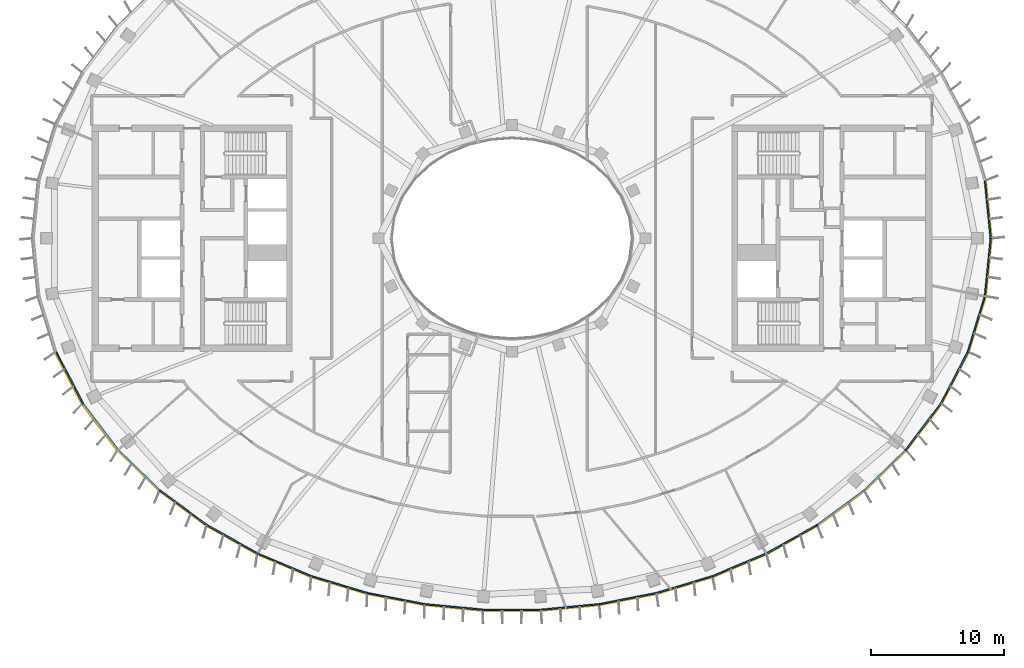
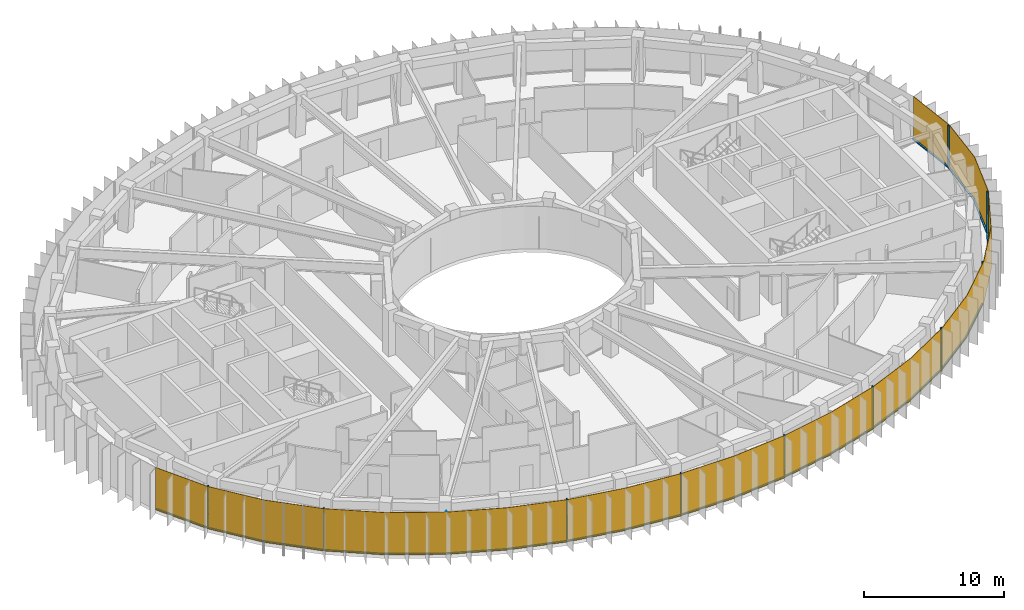
# One storey, part 8 of 13: 23 members, 1 curtain wall.
"""IFC4 building model written with IfcOpenShell, lengths in metres."""

import ifcopenshell
import ifcopenshell.guid

model = None  # the IFC model being written
_history = None  # IfcOwnerHistory: only IFC2X3 demands one
_inside = {}  # id of a spatial element -> (the spatial element, [elements in it])
_under = {}  # id of a project, library or spatial element -> (it, [spatial elements below it])
_declared = {}  # id of a project -> (the project, [libraries it declares])
_typed = {}  # id of a type object -> (the type object, [elements of that type])
_made_of = {}  # id of a material, layer set ... -> (it, [elements and type objects made of it])


def new_model(schema):
    """Start an empty IFC model of exactly this schema.

    Asked for "IFC4X3", IfcOpenShell would pick the latest addendum, in which some entities
    have other attributes; the version numbers below select the first issue.
    IFC2X3 requires an IfcOwnerHistory on every rooted entity: one is made here for all.
    """
    global model, _history
    if schema == "IFC4X3":
        model = ifcopenshell.file(schema_version=(4, 3, 0, 0))
    else:
        model = ifcopenshell.file(schema=schema)
    _inside.clear()
    _under.clear()
    _declared.clear()
    _typed.clear()
    _made_of.clear()
    _history = None
    if model.schema == "IFC2X3":
        org = make("IfcOrganization", Name="unknown")
        user = make(
            "IfcPersonAndOrganization",
            ThePerson=make("IfcPerson", FamilyName="unknown"),
            TheOrganization=org,
        )
        app = make(
            "IfcApplication",
            ApplicationDeveloper=org,
            Version="unknown",
            ApplicationFullName="unknown",
            ApplicationIdentifier="unknown",
        )
        _history = make(
            "IfcOwnerHistory",
            OwningUser=user,
            OwningApplication=app,
            ChangeAction="ADDED",
            CreationDate=0,
        )
    return model


def make(cls, **values):
    """One entity of the class cls with the attributes given. An attribute that is None is left unset."""
    return model.create_entity(
        cls, **{name: value for name, value in values.items() if value is not None}
    )


def rooted(cls, **values):
    """An entity with a GlobalId (a new one), such as an element, a storey or a relation."""
    return make(cls, GlobalId=ifcopenshell.guid.new(), OwnerHistory=_history, **values)


def si_unit(unit_type, name, prefix=None):
    """IfcSIUnit, for example si_unit("LENGTHUNIT", "METRE", prefix="MILLI")."""
    return make("IfcSIUnit", UnitType=unit_type, Prefix=prefix, Name=name)


def assignment(units):
    """IfcUnitAssignment: the units of a project."""
    return None if units is None else make("IfcUnitAssignment", Units=units)


def point(xyz):
    """IfcCartesianPoint."""
    return None if xyz is None else make("IfcCartesianPoint", Coordinates=xyz)


def direction(xyz):
    """IfcDirection."""
    return None if xyz is None else make("IfcDirection", DirectionRatios=xyz)


def frame(location, z_axis=None, x_axis=None):
    """IfcAxis2Placement3D, a coordinate frame: its origin and axes. An axis left out is left unset."""
    return make(
        "IfcAxis2Placement3D",
        Location=point(location),
        Axis=direction(z_axis),
        RefDirection=direction(x_axis),
    )


def frame_2d(location, x_axis=None):
    """IfcAxis2Placement2D, a coordinate frame in the plane: its origin and x axis."""
    return make(
        "IfcAxis2Placement2D", Location=point(location), RefDirection=direction(x_axis)
    )


def origin():
    """The frame at (0, 0, 0) with its axes left unset."""
    return frame((0.0, 0.0, 0.0))


def origin_2d():
    """The frame at (0, 0) in the plane with its x axis left unset."""
    return frame_2d((0.0, 0.0))


def place(relative_to, where):
    """IfcLocalPlacement: puts the frame where relative to a parent placement (None: the world)."""
    return make(
        "IfcLocalPlacement", PlacementRelTo=relative_to, RelativePlacement=where
    )


def context(
    kind, dimensions, precision=None, world=None, true_north=None, identifier=None
):
    """IfcGeometricRepresentationContext, for example the 3D "Model" context."""
    return make(
        "IfcGeometricRepresentationContext",
        ContextIdentifier=identifier,
        ContextType=kind,
        CoordinateSpaceDimension=dimensions,
        Precision=precision,
        WorldCoordinateSystem=world,
        TrueNorth=true_north,
    )


def subcontext(parent, identifier, kind, view, scale=None):
    """IfcGeometricRepresentationSubContext, for example "Body" below "Model"."""
    return make(
        "IfcGeometricRepresentationSubContext",
        ContextIdentifier=identifier,
        ContextType=kind,
        ParentContext=parent,
        TargetScale=scale,
        TargetView=view,
    )


def project(units=None, contexts=None):
    """IfcProject with its units and contexts."""
    return rooted(
        "IfcProject",
        Name="project",
        RepresentationContexts=contexts,
        UnitsInContext=assignment(units),
    )


def spatial(cls, under=None, at=None, **own):
    """A site, building, storey or space (cls), placed at a placement, below another one or the project."""
    s = rooted(cls, ObjectPlacement=at, **own)
    if under is not None:
        _under.setdefault(under.id(), (under, []))[1].append(s)
    return s


def polyline(points):
    """IfcPolyline through the points."""
    return make("IfcPolyline", Points=[point(p) for p in points])


def profile(cls, at=None, kind="AREA", **sizes):
    """A parametric profile (cls). Its sizes go by their IFC names, for example OverallWidth=200.0."""
    return make(cls, ProfileType=kind, Position=at, **sizes)


def rectangle(**sizes):
    """IfcRectangleProfileDef."""
    return profile("IfcRectangleProfileDef", **sizes)


def outline(outer, holes=None, kind="AREA"):
    """IfcArbitraryClosedProfileDef: a profile drawn as a closed curve; with holes, ...WithVoids."""
    if holes is None:
        return make("IfcArbitraryClosedProfileDef", ProfileType=kind, OuterCurve=outer)
    return make(
        "IfcArbitraryProfileDefWithVoids",
        ProfileType=kind,
        OuterCurve=outer,
        InnerCurves=holes,
    )


def extrude(swept, where, along, depth):
    """IfcExtrudedAreaSolid: the profile swept, set in the frame where, extruded along a direction by depth."""
    return make(
        "IfcExtrudedAreaSolid",
        SweptArea=swept,
        Position=where,
        ExtrudedDirection=direction(along),
        Depth=depth,
    )


def shape(context_of_items, identifier, shape_type, items):
    """IfcShapeRepresentation: the items that make up one representation, for example the "Body"."""
    return make(
        "IfcShapeRepresentation",
        ContextOfItems=context_of_items,
        RepresentationIdentifier=identifier,
        RepresentationType=shape_type,
        Items=items,
    )


def material(Name=None, Category=None):
    """IfcMaterial."""
    return make("IfcMaterial", Name=Name, Category=Category)


def layer(
    of_material, thickness, ventilated=None, Name=None, Category=None, Priority=None
):
    """IfcMaterialLayer: one layer of a wall or slab, of a material (None: an air gap)."""
    return make(
        "IfcMaterialLayer",
        Material=of_material,
        LayerThickness=thickness,
        IsVentilated=ventilated,
        Name=Name,
        Category=Category,
        Priority=Priority,
    )


def layer_set(layers, Name=None):
    """IfcMaterialLayerSet."""
    return make("IfcMaterialLayerSet", MaterialLayers=layers, LayerSetName=Name)


def material_profile(
    of_material, cross_section, Name=None, Category=None, Priority=None
):
    """IfcMaterialProfile: a cross section and its material."""
    return make(
        "IfcMaterialProfile",
        Name=Name,
        Material=of_material,
        Profile=cross_section,
        Priority=Priority,
        Category=Category,
    )


def profile_set(profiles, Name=None, composite=None):
    """IfcMaterialProfileSet."""
    return make(
        "IfcMaterialProfileSet",
        Name=Name,
        MaterialProfiles=profiles,
        CompositeProfile=composite,
    )


def made_of(thing, what):
    """Note that an element or type object is made of a material, layer set ...; save() writes the relation."""
    if what is not None:
        _made_of.setdefault(what.id(), (what, []))[1].append(thing)
    return thing


def type_object(cls, material=None, **own):
    """A type object (cls), such as IfcWallType, which elements share."""
    return made_of(rooted(cls, **own), material)


def element(
    cls,
    number,
    at=None,
    inside=None,
    cuts=None,
    type_object=None,
    material=None,
    context=None,
    identifier="Body",
    shape_type=None,
    held_by="IfcProductDefinitionShape",
    body=None,
    shapes=None,
    **own,
):
    """One element of the class cls, such as IfcWall. Its Tag is "e" and its number.

    at: its placement. inside: the storey or other place that contains it. cuts: it is an
    opening in that element (IfcRelVoidsElement). A single representation is given by context,
    identifier, shape_type and body (its items); several are given by shapes. held_by: the class
    of the entity that holds the representations. save() writes the other relations.
    """
    e = rooted(cls, Tag="e%d" % number, ObjectPlacement=at, **own)
    if body is not None:
        shapes = [shape(context, identifier, shape_type, body)]
    if shapes is not None:
        e.Representation = make(held_by, Representations=shapes)
    if inside is not None:
        _inside.setdefault(inside.id(), (inside, []))[1].append(e)
    if cuts is not None:
        rooted(
            "IfcRelVoidsElement", RelatingBuildingElement=cuts, RelatedOpeningElement=e
        )
    if type_object is not None:
        _typed.setdefault(type_object.id(), (type_object, []))[1].append(e)
    return made_of(e, material)


def aggregate(whole, parts):
    """IfcRelAggregates: a whole, such as a stair, and the parts it consists of."""
    return rooted("IfcRelAggregates", RelatingObject=whole, RelatedObjects=parts)


def save(model, path):
    """Write the relations noted so far, then the file.

    IfcRelAggregates (storeys below a building ...), IfcRelContainedInSpatialStructure (elements
    in a storey), IfcRelDefinesByType, IfcRelAssociatesMaterial and IfcRelDeclares: one each for
    every whole, place, type object, material and project.
    """
    for whole, parts in _under.values():
        aggregate(whole, parts)
    for where, things in _inside.values():
        rooted(
            "IfcRelContainedInSpatialStructure",
            RelatedElements=things,
            RelatingStructure=where,
        )
    for kind, things in _typed.values():
        rooted("IfcRelDefinesByType", RelatedObjects=things, RelatingType=kind)
    for what, things in _made_of.values():
        rooted("IfcRelAssociatesMaterial", RelatedObjects=things, RelatingMaterial=what)
    for by, libraries in _declared.values():
        rooted("IfcRelDeclares", RelatingContext=by, RelatedDefinitions=libraries)
    model.write(path)


model = new_model("IFC4")

# Units and contexts
model_context = context("Model", 3, precision=1e-05, world=origin(), true_north=direction((0.0, 1.0)))
body_context = subcontext(model_context, "Body", "Model", "MODEL_VIEW")
ifc_project = project(units=[si_unit("LENGTHUNIT", "METRE"), si_unit("AREAUNIT", "SQUARE_METRE"), si_unit("VOLUMEUNIT", "CUBIC_METRE"), si_unit("PLANEANGLEUNIT", "RADIAN"), si_unit("MASSUNIT", "GRAM", prefix="KILO")], contexts=[model_context])

# Member
ifc_material_1 = material(Name="Aluminium 6063-T6 black anodised", Category="aluminium")
ifc_material_profile = material_profile(ifc_material_1, rectangle(XDim=0.1201171875, YDim=0.06005859375, at=origin_2d()), Name="120x60")
ifc_profile_set = profile_set([ifc_material_profile], Name="Aluminium 6063-T6 black anodised")
member_type_1 = type_object("IfcMemberType", Name="ENV-MULLION-H-120", PredefinedType="MULLION", material=ifc_profile_set)
site_placement = place(None, origin())
building_placement = place(site_placement, origin())
storey_placement = place(building_placement, frame((0.0, 0.0, 327.0)))
member_1_placement = place(storey_placement, frame((-32.177490234375, -12.385498046875, 0.0), z_axis=(0.0, 0.0, 1.0), x_axis=(0.844829880882, 0.53503501976, 0.0)))
member_1 = element("IfcMember", 1, at=member_1_placement, type_object=member_type_1, Name="Mullion H radial 27", PredefinedType="MULLION", context=body_context, shape_type="SweptSolid", body=[
    extrude(rectangle(XDim=0.1201171875, YDim=0.06005859375, at=origin_2d()), origin(), (0.0, 0.0, 1.0), 3.699951171875),
])

member_2_placement = place(storey_placement, frame((-26.403564453125, -18.9130859375, 0.0), z_axis=(0.0, 0.0, 1.0), x_axis=(0.646451313783, 0.762955240435, 0.0)))
member_2 = element("IfcMember", 2, at=member_2_placement, type_object=member_type_1, Name="Mullion H radial 29", PredefinedType="MULLION", context=body_context, shape_type="SweptSolid", body=[
    extrude(rectangle(XDim=0.1201171875, YDim=0.06005859375, at=origin_2d()), origin(), (0.0, 0.0, 1.0), 3.699951171875),
])

member_3_placement = place(storey_placement, frame((-19.06787109375, -23.6474609375, 0.0), z_axis=(0.0, 0.0, 1.0), x_axis=(0.439237769837, 0.898370848563, 0.0)))
member_3 = element("IfcMember", 3, at=member_3_placement, type_object=member_type_1, Name="Mullion H radial 31", PredefinedType="MULLION", context=body_context, shape_type="SweptSolid", body=[
    extrude(rectangle(XDim=0.1201171875, YDim=0.06005859375, at=origin_2d()), origin(), (0.0, 0.0, 1.0), 3.699951171875),
])

member_4_placement = place(storey_placement, frame((-10.84326171875, -26.60498046875, 0.0), z_axis=(0.0, 0.0, 1.0), x_axis=(0.239799081534, 0.970822538106, 0.0)))
member_4 = element("IfcMember", 4, at=member_4_placement, type_object=member_type_1, Name="Mullion H radial 33", PredefinedType="MULLION", context=body_context, shape_type="SweptSolid", body=[
    extrude(rectangle(XDim=0.1201171875, YDim=0.06005859375, at=origin_2d()), origin(), (0.0, 0.0, 1.0), 3.699951171875),
])

member_5_placement = place(storey_placement, frame((-2.188720703125, -27.856201171875, 0.0), z_axis=(0.0, 0.0, 1.0), x_axis=(0.047557873581, 0.998868484166, 0.0)))
member_5 = element("IfcMember", 5, at=member_5_placement, type_object=member_type_1, Name="Mullion H radial 35", PredefinedType="MULLION", context=body_context, shape_type="SweptSolid", body=[
    extrude(rectangle(XDim=0.1201171875, YDim=0.06005859375, at=origin_2d()), origin(), (0.0, 0.0, 1.0), 3.699951171875),
])

member_6_placement = place(storey_placement, frame((6.54638671875, -27.440185546875, 0.0), z_axis=(0.0, 0.0, 1.0), x_axis=(-0.143082012705, 0.989710835366, 0.0)))
member_6 = element("IfcMember", 6, at=member_6_placement, type_object=member_type_1, Name="Mullion H radial 37", PredefinedType="MULLION", context=body_context, shape_type="SweptSolid", body=[
    extrude(rectangle(XDim=0.1201171875, YDim=0.06005859375, at=origin_2d()), origin(), (0.0, 0.0, 1.0), 3.699951171875),
])

member_7_placement = place(storey_placement, frame((15.0341796875, -25.34375, 0.0), z_axis=(0.0, 0.0, 1.0), x_axis=(-0.338379256581, 0.941009818608, 0.0)))
member_7 = element("IfcMember", 7, at=member_7_placement, type_object=member_type_1, Name="Mullion H radial 39", PredefinedType="MULLION", context=body_context, shape_type="SweptSolid", body=[
    extrude(rectangle(XDim=0.1201171875, YDim=0.06005859375, at=origin_2d()), origin(), (0.0, 0.0, 1.0), 3.699951171875),
])

member_8_placement = place(storey_placement, frame((22.882568359375, -21.506591796875, 0.0), z_axis=(0.0, 0.0, 1.0), x_axis=(-0.542279153225, 0.840198381323, 0.0)))
member_8 = element("IfcMember", 8, at=member_8_placement, type_object=member_type_1, Name="Mullion H radial 41", PredefinedType="MULLION", context=body_context, shape_type="SweptSolid", body=[
    extrude(rectangle(XDim=0.1201171875, YDim=0.06005859375, at=origin_2d()), origin(), (0.0, 0.0, 1.0), 3.699951171875),
])

member_9_placement = place(storey_placement, frame((29.53857421875, -15.8671875, 0.0), z_axis=(0.0, 0.0, 1.0), x_axis=(-0.749047221705, 0.662516610853, 0.0)))
member_9 = element("IfcMember", 9, at=member_9_placement, type_object=member_type_1, Name="Mullion H radial 43", PredefinedType="MULLION", context=body_context, shape_type="SweptSolid", body=[
    extrude(rectangle(XDim=0.1201171875, YDim=0.06005859375, at=origin_2d()), origin(), (0.0, 0.0, 1.0), 3.699951171875),
])

member_10_placement = place(storey_placement, frame((34.19580078125, -8.513916015625, 0.0), z_axis=(0.0, 0.0, 1.0), x_axis=(-0.92546738067, 0.378827305398, 0.0)))
member_10 = element("IfcMember", 10, at=member_10_placement, type_object=member_type_1, Name="Mullion H radial 45", PredefinedType="MULLION", context=body_context, shape_type="SweptSolid", body=[
    extrude(rectangle(XDim=0.1201171875, YDim=0.06005859375, at=origin_2d()), origin(), (0.0, 0.0, 1.0), 3.699951171875),
])

member_11_placement = place(storey_placement, frame((35.907958984375, 0.0, 0.0), z_axis=(0.0, 0.0, 1.0), x_axis=(-1.0, 0.0, 0.0)))
member_11 = element("IfcMember", 11, at=member_11_placement, type_object=member_type_1, Name="Mullion H radial 01", PredefinedType="MULLION", context=body_context, shape_type="SweptSolid", body=[
    extrude(rectangle(XDim=0.1201171875, YDim=0.06005859375, at=origin_2d()), origin(), (0.0, 0.0, 1.0), 3.699951171875),
])

ifc_material_2 = material(Name="Aluminium 6063-T6 black anodised", Category="aluminium")
member_type_2 = type_object("IfcMemberType", Name="ENV-TRANSOM-H", PredefinedType="USERDEFINED", material=ifc_material_2)
member_12_placement = place(storey_placement, origin())
member_12 = element("IfcMember", 12, at=member_12_placement, type_object=member_type_2, Name="Transom H radial 26-27", ObjectType="TRANSOM", PredefinedType="USERDEFINED", context=body_context, shape_type="SweptSolid", body=[
    extrude(outline(polyline([(-34.251220703125, -8.53662109375), (-32.240966796875, -12.392578125), (-32.139404296875, -12.328369140625), (-34.139892578125, -8.490966796875), (-34.251220703125, -8.53662109375)])), origin(), (0.0, 0.0, 1.0), 0.10009765625),
])

member_13_placement = place(storey_placement, origin())
member_13 = element("IfcMember", 13, at=member_13_placement, type_object=member_type_2, Name="Transom H radial 27-29", ObjectType="TRANSOM", PredefinedType="USERDEFINED", context=body_context, shape_type="SweptSolid", body=[
    extrude(outline(polyline([(-32.211181640625, -12.43994140625), (-29.58349609375, -15.906982421875), (-26.46240234375, -18.939208984375), (-26.384765625, -18.847412109375), (-29.493408203125, -15.8271484375), (-32.109375, -12.37548828125), (-32.211181640625, -12.43994140625)])), origin(), (0.0, 0.0, 1.0), 0.10009765625),
])

member_14_placement = place(storey_placement, origin())
member_14 = element("IfcMember", 14, at=member_14_placement, type_object=member_type_2, Name="Transom H radial 29-31", ObjectType="TRANSOM", PredefinedType="USERDEFINED", context=body_context, shape_type="SweptSolid", body=[
    extrude(outline(polyline([(-26.419921875, -18.975341796875), (-22.9150390625, -21.556884765625), (-19.11865234375, -23.687744140625), (-19.06591796875, -23.57958984375), (-22.85009765625, -21.455810546875), (-26.342041015625, -18.883544921875), (-26.419921875, -18.975341796875)])), origin(), (0.0, 0.0, 1.0), 0.10009765625),
])

member_15_placement = place(storey_placement, origin())
member_15 = element("IfcMember", 15, at=member_15_placement, type_object=member_type_2, Name="Transom H radial 31-33", ObjectType="TRANSOM", PredefinedType="USERDEFINED", context=body_context, shape_type="SweptSolid", body=[
    extrude(outline(polyline([(-19.068359375, -23.71240234375), (-15.054443359375, -25.400146484375), (-10.884521484375, -26.655029296875), (-10.855712890625, -26.53857421875), (-15.013916015625, -25.287109375), (-19.015380859375, -23.604248046875), (-19.068359375, -23.71240234375)])), origin(), (0.0, 0.0, 1.0), 0.10009765625),
])

member_16_placement = place(storey_placement, origin())
member_16 = element("IfcMember", 16, at=member_16_placement, type_object=member_type_2, Name="Transom H radial 33-35", ObjectType="TRANSOM", PredefinedType="USERDEFINED", context=body_context, shape_type="SweptSolid", body=[
    extrude(outline(polyline([(-10.830078125, -26.66845703125), (-6.55517578125, -27.49951171875), (-2.219482421875, -27.913330078125), (-2.2138671875, -27.793212890625), (-6.537841796875, -27.380615234375), (-10.80126953125, -26.552001953125), (-10.830078125, -26.66845703125)])), origin(), (0.0, 0.0, 1.0), 0.10009765625),
])

member_17_placement = place(storey_placement, origin())
member_17 = element("IfcMember", 17, at=member_17_placement, type_object=member_type_2, Name="Transom H radial 35-37", ObjectType="TRANSOM", PredefinedType="USERDEFINED", context=body_context, shape_type="SweptSolid", body=[
    extrude(outline(polyline([(-2.163818359375, -27.916015625), (2.191650390625, -27.916015625), (6.527099609375, -27.502197265625), (6.510009765625, -27.38330078125), (2.185791015625, -27.7958984375), (-2.157958984375, -27.7958984375), (-2.163818359375, -27.916015625)])), origin(), (0.0, 0.0, 1.0), 0.10009765625),
])

member_18_placement = place(storey_placement, origin())
member_18 = element("IfcMember", 18, at=member_18_placement, type_object=member_type_2, Name="Transom H radial 37-39", ObjectType="TRANSOM", PredefinedType="USERDEFINED", context=body_context, shape_type="SweptSolid", body=[
    extrude(outline(polyline([(6.58251953125, -27.494140625), (10.857666015625, -26.6630859375), (15.027587890625, -25.408203125), (14.987060546875, -25.295166015625), (10.828857421875, -26.54638671875), (6.5654296875, -27.375244140625), (6.58251953125, -27.494140625)])), origin(), (0.0, 0.0, 1.0), 0.10009765625),
])

member_19_placement = place(storey_placement, origin())
member_19 = element("IfcMember", 19, at=member_19_placement, type_object=member_type_2, Name="Transom H radial 39-41", ObjectType="TRANSOM", PredefinedType="USERDEFINED", context=body_context, shape_type="SweptSolid", body=[
    extrude(outline(polyline([(15.080322265625, -25.389404296875), (19.093994140625, -23.701416015625), (22.890625, -21.570556640625), (22.825439453125, -21.469482421875), (19.041259765625, -23.593505859375), (15.03955078125, -25.276123046875), (15.080322265625, -25.389404296875)])), origin(), (0.0, 0.0, 1.0), 0.10009765625),
])

member_20_placement = place(storey_placement, origin())
member_20 = element("IfcMember", 20, at=member_20_placement, type_object=member_type_2, Name="Transom H radial 41-43", ObjectType="TRANSOM", PredefinedType="USERDEFINED", context=body_context, shape_type="SweptSolid", body=[
    extrude(outline(polyline([(22.937744140625, -21.540283203125), (26.4423828125, -18.958740234375), (29.5634765625, -15.926513671875), (29.473388671875, -15.8466796875), (26.364501953125, -18.866943359375), (22.87255859375, -21.439208984375), (22.937744140625, -21.540283203125)])), origin(), (0.0, 0.0, 1.0), 0.10009765625),
])

member_21_placement = place(storey_placement, origin())
member_21 = element("IfcMember", 21, at=member_21_placement, type_object=member_type_2, Name="Transom H radial 43-45", ObjectType="TRANSOM", PredefinedType="USERDEFINED", context=body_context, shape_type="SweptSolid", body=[
    extrude(outline(polyline([(29.6005859375, -15.884521484375), (32.22802734375, -12.41748046875), (34.23828125, -8.5615234375), (34.126708984375, -8.515869140625), (32.126220703125, -12.35302734375), (29.51025390625, -15.8046875), (29.6005859375, -15.884521484375)])), origin(), (0.0, 0.0, 1.0), 0.10009765625),
])

member_22_placement = place(storey_placement, origin())
member_22 = element("IfcMember", 22, at=member_22_placement, type_object=member_type_2, Name="Transom H radial 45-01", ObjectType="TRANSOM", PredefinedType="USERDEFINED", context=body_context, shape_type="SweptSolid", body=[
    extrude(outline(polyline([(34.259521484375, -8.509765625), (35.529541015625, -4.352294921875), (35.965087890625, -0.02783203125), (35.844482421875, -0.02783203125), (35.411376953125, -4.32861328125), (34.14794921875, -8.464111328125), (34.259521484375, -8.509765625)])), origin(), (0.0, 0.0, 1.0), 0.10009765625),
])

member_23_placement = place(storey_placement, origin())
member_23 = element("IfcMember", 23, at=member_23_placement, type_object=member_type_2, Name="Transom H radial 01-02", ObjectType="TRANSOM", PredefinedType="USERDEFINED", context=body_context, shape_type="SweptSolid", body=[
    extrude(outline(polyline([(35.965087890625, 0.02783203125), (35.529541015625, 4.352294921875), (35.411376953125, 4.32861328125), (35.844482421875, 0.02783203125), (35.965087890625, 0.02783203125)])), origin(), (0.0, 0.0, 1.0), 0.10009765625),
])

# Site, building, storey
site = spatial("IfcSite", under=ifc_project, at=site_placement, CompositionType="ELEMENT")
building = spatial("IfcBuilding", under=site, at=building_placement, Name="Noorbagh Ring Tower", CompositionType="ELEMENT")
storey = spatial("IfcBuildingStorey", under=building, at=storey_placement, Name="L71", CompositionType="ELEMENT", Elevation=327.0)

# Curtain wall
ifc_material_3 = material(Name="Glass dark tinted laminated", Category="glass")
ifc_layer = layer(ifc_material_3, 0.031982421875)
ifc_layer_set = layer_set([ifc_layer], Name="Glass dark tinted laminated")
curtain_wall_type = type_object("IfcCurtainWallType", Name="ENV-CW-H", PredefinedType="NOTDEFINED", material=ifc_layer_set)
curtain_wall_placement = place(storey_placement, origin())
curtain_wall = element("IfcCurtainWall", 24, at=curtain_wall_placement, inside=storey, type_object=curtain_wall_type, Name="Curtain wall H R26", PredefinedType="NOTDEFINED", context=body_context, shape_type="SweptSolid", body=[
    extrude(outline(polyline([(-34.281005859375, -8.548828125), (-32.255126953125, -12.434814453125), (-29.607666015625, -15.927978515625), (-26.463134765625, -18.9833984375), (-22.9326171875, -21.583740234375), (-19.108154296875, -23.730224609375), (-15.065185546875, -25.430419921875), (-10.865234375, -26.6943359375), (-6.559814453125, -27.53125), (-2.193115234375, -27.947998046875), (2.193115234375, -27.947998046875), (6.559814453125, -27.53125), (10.865234375, -26.6943359375), (15.065185546875, -25.430419921875), (19.108154296875, -23.730224609375), (22.9326171875, -21.583740234375), (26.463134765625, -18.9833984375), (29.607666015625, -15.927978515625), (32.255126953125, -12.434814453125), (34.281005859375, -8.548828125), (35.561279296875, -4.358642578125), (36.0, 0.0), (35.561279296875, 4.358642578125), (35.529541015625, 4.352294921875), (35.9677734375, 0.0), (35.529541015625, -4.352294921875), (34.251220703125, -8.53662109375), (32.22802734375, -12.41748046875), (29.58349609375, -15.906982421875), (26.4423828125, -18.958740234375), (22.9150390625, -21.556884765625), (19.093994140625, -23.701416015625), (15.054443359375, -25.400146484375), (10.857666015625, -26.6630859375), (6.55517578125, -27.49951171875), (2.191650390625, -27.916015625), (-2.191650390625, -27.916015625), (-6.55517578125, -27.49951171875), (-10.857666015625, -26.6630859375), (-15.054443359375, -25.400146484375), (-19.093994140625, -23.701416015625), (-22.9150390625, -21.556884765625), (-26.4423828125, -18.958740234375), (-29.58349609375, -15.906982421875), (-32.22802734375, -12.41748046875), (-34.251220703125, -8.53662109375), (-34.281005859375, -8.548828125)])), origin(), (0.0, 0.0, 1.0), 3.699951171875),
])

aggregate(curtain_wall, [member_1, member_2, member_3, member_4, member_5, member_6, member_7, member_8, member_9, member_10, member_11, member_12, member_13, member_14, member_15, member_16, member_17, member_18, member_19, member_20, member_21, member_22, member_23])

save(model, "model.ifc")
